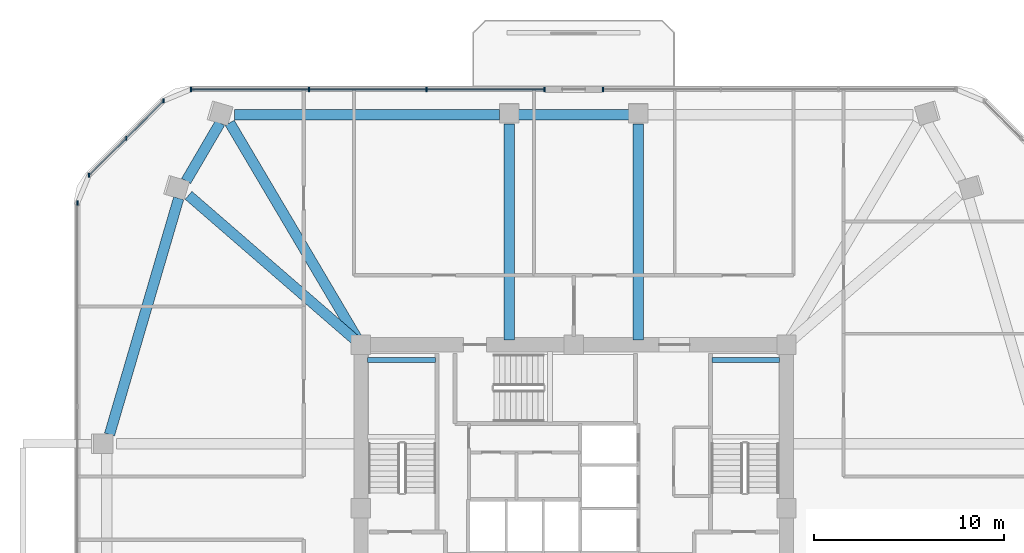
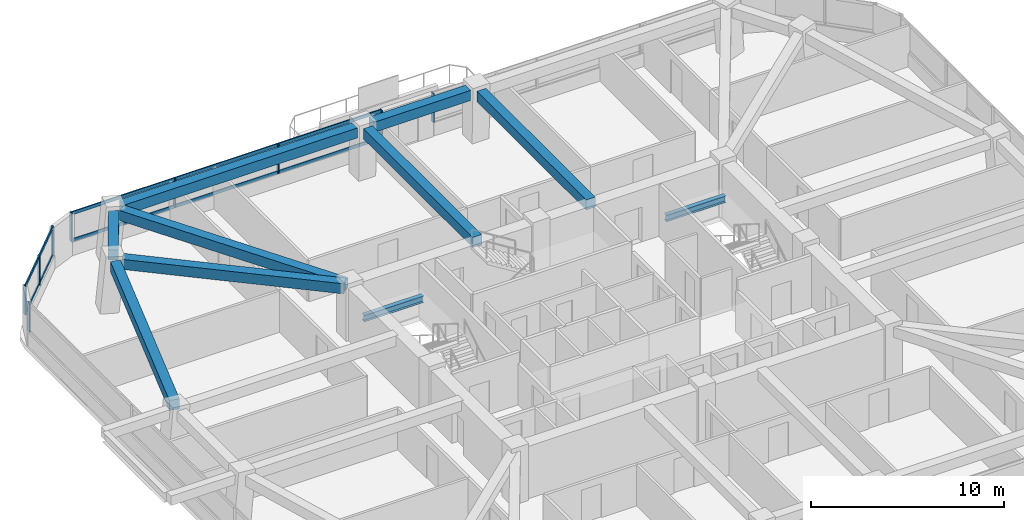
# One storey, part 6 of 14: 13 members, 10 beams, 4 elements without a shape of their own.
"""IFC4 building model written with IfcOpenShell, lengths in metres."""

from ifc_helpers import new_model, si_unit, derived_unit, direction, frame, origin, origin_2d, place, context, subcontext, project, spatial, rectangle, i_section, extrude, material, material_profile, profile_set, type_object, element, aggregate, save


model = new_model("IFC4")

# Units and contexts
model_context = context("Model", 3, precision=1e-05, world=origin(), true_north=direction((0.0, 1.0)))
body_context = subcontext(model_context, "Body", "Model", "MODEL_VIEW")
ifc_project = project(units=[si_unit("LENGTHUNIT", "METRE"), si_unit("AREAUNIT", "SQUARE_METRE"), si_unit("VOLUMEUNIT", "CUBIC_METRE"), si_unit("PLANEANGLEUNIT", "RADIAN"), si_unit("MASSUNIT", "GRAM", prefix="KILO"), derived_unit("THERMALTRANSMITTANCEUNIT", [(si_unit("POWERUNIT", "WATT"), 1), (si_unit("LENGTHUNIT", "METRE"), -2), (si_unit("THERMODYNAMICTEMPERATUREUNIT", "KELVIN"), -1)])], contexts=[model_context])

# Site, building, storey
site_placement = place(None, origin())
site = spatial("IfcSite", under=ifc_project, at=site_placement, CompositionType="ELEMENT")
building_placement = place(site_placement, origin())
building = spatial("IfcBuilding", under=site, at=building_placement, Name="Koralith Skygarden Medical Center", CompositionType="ELEMENT")
storey_placement = place(building_placement, frame((0.0, 0.0, 95.580078125)))
storey = spatial("IfcBuildingStorey", under=building, at=storey_placement, Name="L24", CompositionType="ELEMENT", Elevation=95.580078125)

# Curtain wall, member
ifc_material_1 = material(Name="Clear Laminated Glass", Category="glass")
curtain_wall_type = type_object("IfcCurtainWallType", Name="CW-3 Zone 2 Faceted Solar Curtain Wall", PredefinedType="NOTDEFINED", material=ifc_material_1)
curtain_wall_1_placement = place(storey_placement, origin())
curtain_wall_1 = element("IfcCurtainWall", 1, at=curtain_wall_1_placement, inside=storey, type_object=curtain_wall_type, Name="Curtain Wall CW-L24-N-L", PredefinedType="NOTDEFINED")
ifc_material_2 = material(Name="Aluminium 6063-T6", Category="aluminium")
ifc_material_profile_1 = material_profile(ifc_material_2, rectangle(XDim=0.073974609375, YDim=0.219970703125, at=origin_2d()), Name="MUL74X220")
ifc_profile_set_1 = profile_set([ifc_material_profile_1], Name="Aluminium 6063-T6")
member_type_1 = type_object("IfcMemberType", Name="CW-3 Extruded Mullion 74x220", PredefinedType="MULLION", material=ifc_profile_set_1)
member_1_placement = place(storey_placement, frame((38.5400390625, 47.943115234375, 0.849853515625), z_axis=(0.0, 0.0, 1.0), x_axis=(1.0, 0.0, 0.0)))
member_1 = element("IfcMember", 2, at=member_1_placement, type_object=member_type_1, Name="CW-L24-N-L Mullion 4", PredefinedType="MULLION", context=body_context, shape_type="SweptSolid", body=[
    extrude(rectangle(XDim=0.073974609375, YDim=0.219970703125, at=origin_2d()), origin(), (0.0, 0.0, 1.0), 1.820068359375),
])
aggregate(curtain_wall_1, [member_1])

# Curtain wall, members
curtain_wall_2_placement = place(storey_placement, origin())
curtain_wall_2 = element("IfcCurtainWall", 3, at=curtain_wall_2_placement, inside=storey, type_object=curtain_wall_type, Name="Curtain Wall CW-L24-N-R", PredefinedType="NOTDEFINED")
member_2_placement = place(storey_placement, frame((35.4599609375, 47.943115234375, 0.849853515625), z_axis=(0.0, 0.0, 1.0), x_axis=(1.0, 0.0, 0.0)))
member_2 = element("IfcMember", 4, at=member_2_placement, type_object=member_type_1, Name="CW-L24-N-R Mullion 1", PredefinedType="MULLION", context=body_context, shape_type="SweptSolid", body=[
    extrude(rectangle(XDim=0.073974609375, YDim=0.219970703125, at=origin_2d()), origin(), (0.0, 0.0, 1.0), 1.820068359375),
])
member_3_placement = place(storey_placement, frame((29.260009765625, 47.943115234375, 0.849853515625), z_axis=(0.0, 0.0, 1.0), x_axis=(1.0, 0.0, 0.0)))
member_3 = element("IfcMember", 5, at=member_3_placement, type_object=member_type_1, Name="CW-L24-N-R Mullion 2", PredefinedType="MULLION", context=body_context, shape_type="SweptSolid", body=[
    extrude(rectangle(XDim=0.073974609375, YDim=0.219970703125, at=origin_2d()), origin(), (0.0, 0.0, 1.0), 1.820068359375),
])
member_4_placement = place(storey_placement, frame((23.06005859375, 47.943115234375, 0.849853515625), z_axis=(0.0, 0.0, 1.0), x_axis=(1.0, 0.0, 0.0)))
member_4 = element("IfcMember", 6, at=member_4_placement, type_object=member_type_1, Name="CW-L24-N-R Mullion 3", PredefinedType="MULLION", context=body_context, shape_type="SweptSolid", body=[
    extrude(rectangle(XDim=0.073974609375, YDim=0.219970703125, at=origin_2d()), origin(), (0.0, 0.0, 1.0), 1.820068359375),
])
member_5_placement = place(storey_placement, frame((16.860107421875, 47.943115234375, 0.849853515625), z_axis=(0.0, 0.0, 1.0), x_axis=(1.0, 0.0, 0.0)))
member_5 = element("IfcMember", 7, at=member_5_placement, type_object=member_type_1, Name="CW-L24-N-R Mullion 4", PredefinedType="MULLION", context=body_context, shape_type="SweptSolid", body=[
    extrude(rectangle(XDim=0.073974609375, YDim=0.219970703125, at=origin_2d()), origin(), (0.0, 0.0, 1.0), 1.820068359375),
])

curtain_wall_3_placement = place(storey_placement, origin())
curtain_wall_3 = element("IfcCurtainWall", 8, at=curtain_wall_3_placement, inside=storey, type_object=curtain_wall_type, Name="Curtain Wall CW-L24-NW", PredefinedType="NOTDEFINED")
member_6_placement = place(storey_placement, frame((15.408935546875, 47.342041015625, 0.849853515625), z_axis=(0.0, 0.0, 1.0), x_axis=(1.0, 0.0, 0.0)))
member_6 = element("IfcMember", 9, at=member_6_placement, type_object=member_type_1, Name="CW-L24-NW Mullion 1", PredefinedType="MULLION", context=body_context, shape_type="SweptSolid", body=[
    extrude(rectangle(XDim=0.073974609375, YDim=0.219970703125, at=origin_2d()), origin(), (0.0, 0.0, 1.0), 1.820068359375),
])
member_7_placement = place(storey_placement, frame((13.447998046875, 45.3798828125, 0.849853515625), z_axis=(0.0, 0.0, 1.0), x_axis=(1.0, 0.0, 0.0)))
member_7 = element("IfcMember", 10, at=member_7_placement, type_object=member_type_1, Name="CW-L24-NW Mullion 2", PredefinedType="MULLION", context=body_context, shape_type="SweptSolid", body=[
    extrude(rectangle(XDim=0.073974609375, YDim=0.219970703125, at=origin_2d()), origin(), (0.0, 0.0, 1.0), 1.820068359375),
])
member_8_placement = place(storey_placement, frame((11.486083984375, 43.4189453125, 0.849853515625), z_axis=(0.0, 0.0, 1.0), x_axis=(1.0, 0.0, 0.0)))
member_8 = element("IfcMember", 11, at=member_8_placement, type_object=member_type_1, Name="CW-L24-NW Mullion 3", PredefinedType="MULLION", context=body_context, shape_type="SweptSolid", body=[
    extrude(rectangle(XDim=0.073974609375, YDim=0.219970703125, at=origin_2d()), origin(), (0.0, 0.0, 1.0), 1.820068359375),
])

# Curtain wall, member
curtain_wall_4_placement = place(storey_placement, origin())
curtain_wall_4 = element("IfcCurtainWall", 12, at=curtain_wall_4_placement, inside=storey, type_object=curtain_wall_type, Name="Curtain Wall CW-L24-W", PredefinedType="NOTDEFINED")
member_9_placement = place(storey_placement, frame((10.884033203125, 41.968017578125, 0.849853515625), z_axis=(0.0, 0.0, 1.0), x_axis=(1.0, 0.0, 0.0)))
member_9 = element("IfcMember", 13, at=member_9_placement, type_object=member_type_1, Name="CW-L24-W Mullion 1", PredefinedType="MULLION", context=body_context, shape_type="SweptSolid", body=[
    extrude(rectangle(XDim=0.073974609375, YDim=0.219970703125, at=origin_2d()), origin(), (0.0, 0.0, 1.0), 1.820068359375),
])
aggregate(curtain_wall_4, [member_9])

# Member
ifc_material_profile_2 = material_profile(ifc_material_2, rectangle(XDim=0.069091796875, YDim=0.197998046875, at=origin_2d()), Name="TRN69X198")
ifc_profile_set_2 = profile_set([ifc_material_profile_2], Name="Aluminium 6063-T6")
member_type_2 = type_object("IfcMemberType", Name="CW-3 Thermal Transom 69x198", PredefinedType="USERDEFINED", material=ifc_profile_set_2)
member_10_placement = place(storey_placement, frame((35.4599609375, 47.943115234375, 0.89990234375), z_axis=(-1.0, 0.0, 0.0), x_axis=(0.0, -1.0, 0.0)))
member_10 = element("IfcMember", 14, at=member_10_placement, type_object=member_type_2, Name="CW-L24-N-R Transom 1", ObjectType="TRANSOM", PredefinedType="USERDEFINED", context=body_context, shape_type="SweptSolid", body=[
    extrude(rectangle(XDim=0.069091796875, YDim=0.197998046875, at=origin_2d()), origin(), (0.0, 0.0, 1.0), 18.599853515625),
])

member_11_placement = place(storey_placement, frame((35.4599609375, 47.943115234375, 2.619873046875), z_axis=(-1.0, 0.0, 0.0), x_axis=(0.0, -1.0, 0.0)))
member_11 = element("IfcMember", 15, at=member_11_placement, type_object=member_type_2, Name="CW-L24-N-R Transom 2", ObjectType="TRANSOM", PredefinedType="USERDEFINED", context=body_context, shape_type="SweptSolid", body=[
    extrude(rectangle(XDim=0.069091796875, YDim=0.197998046875, at=origin_2d()), origin(), (0.0, 0.0, 1.0), 18.599853515625),
])

aggregate(curtain_wall_2, [member_2, member_3, member_4, member_5, member_10, member_11])

member_12_placement = place(storey_placement, frame((15.408935546875, 47.342041015625, 0.89990234375), z_axis=(-0.707084777957, -0.707128783731, 0.0), x_axis=(0.707128783731, -0.707084777957, 0.0)))
member_12 = element("IfcMember", 16, at=member_12_placement, type_object=member_type_2, Name="CW-L24-NW Transom 1", ObjectType="TRANSOM", PredefinedType="USERDEFINED", context=body_context, shape_type="SweptSolid", body=[
    extrude(rectangle(XDim=0.069091796875, YDim=0.197998046875, at=origin_2d()), origin(), (0.0, 0.0, 1.0), 5.5478515625),
])

member_13_placement = place(storey_placement, frame((15.408935546875, 47.342041015625, 2.619873046875), z_axis=(-0.707084777957, -0.707128783731, 0.0), x_axis=(0.707128783731, -0.707084777957, 0.0)))
member_13 = element("IfcMember", 17, at=member_13_placement, type_object=member_type_2, Name="CW-L24-NW Transom 2", ObjectType="TRANSOM", PredefinedType="USERDEFINED", context=body_context, shape_type="SweptSolid", body=[
    extrude(rectangle(XDim=0.069091796875, YDim=0.197998046875, at=origin_2d()), origin(), (0.0, 0.0, 1.0), 5.5478515625),
])

aggregate(curtain_wall_3, [member_6, member_7, member_8, member_12, member_13])

# Beams
ifc_material_3 = material(Name="Steel ASTM A992 Grade 50", Category="steel")
ifc_material_profile_3 = material_profile(ifc_material_3, i_section(OverallWidth=0.260009765625, OverallDepth=0.4150390625, WebThickness=0.010009765625, FlangeThickness=0.016845703125, at=origin_2d()), Name="W16X67")
ifc_profile_set_3 = profile_set([ifc_material_profile_3], Name="Steel ASTM A992 Grade 50")
beam_type_1 = type_object("IfcBeamType", Name="Clinical Floor Joist W16X67", PredefinedType="JOIST", material=ifc_profile_set_3)
for number, where, z_axis, x_axis, name in (
    (18, (26.155029296875, 33.699951171875, 1.391845703125), (1.0, 0.0, 0.0), (0.0, 1.0, 0.0), "L24 Stair ST1 Half-Landing Support Beam 1B"),
    (19, (44.280029296875, 33.699951171875, 1.391845703125), (1.0, 0.0, 0.0), (0.0, 1.0, 0.0), "L24 Stair ST2 Half-Landing Support Beam 1B"),
):
    element("IfcBeam", number, at=place(storey_placement, frame(where, z_axis=z_axis, x_axis=x_axis)), inside=storey, type_object=beam_type_1, Name=name, PredefinedType="JOIST", context=body_context, shape_type="SweptSolid", body=[
        extrude(i_section(OverallWidth=0.260009765625, OverallDepth=0.4150390625, WebThickness=0.010009765625, FlangeThickness=0.016845703125, at=origin_2d()), origin(), (0.0, 0.0, 1.0), 3.56494140625),
    ])
ifc_material_4 = material(Name="Concrete C45/55", Category="concrete")
ifc_material_profile_4 = material_profile(ifc_material_4, rectangle(XDim=0.550048828125, YDim=0.639892578125, at=origin_2d()), Name="RCB550X640")
ifc_profile_set_4 = profile_set([ifc_material_profile_4], Name="Concrete C45/55")
beam_type_2 = type_object("IfcBeamType", Name="Radial Collector Beam RCB550X640", PredefinedType="BEAM", material=ifc_profile_set_4)
for number, where, z_axis, x_axis, name in (
    (20, (40.39990234375, 34.75, 3.0), (0.0, 1.0, 0.0), (-1.0, 0.0, 0.0), "L24 Radial Collector Beam RB-12"),
    (21, (33.60009765625, 34.75, 3.0), (0.0, 1.0, 0.0), (-1.0, 0.0, 0.0), "L24 Radial Collector Beam RB-13"),
):
    element("IfcBeam", number, at=place(storey_placement, frame(where, z_axis=z_axis, x_axis=x_axis)), inside=storey, type_object=beam_type_2, Name=name, PredefinedType="BEAM", context=body_context, shape_type="SweptSolid", body=[
        extrude(rectangle(XDim=0.550048828125, YDim=0.639892578125, at=origin_2d()), origin(), (0.0, 0.0, 1.0), 11.364013671875),
    ])
beam_1_placement = place(storey_placement, frame((25.673095703125, 34.715087890625, 3.0), z_axis=(-0.50889043558, 0.860831298557, 0.0), x_axis=(-0.860831298557, -0.50889043558, 0.0)))
element("IfcBeam", 22, at=beam_1_placement, inside=storey, type_object=beam_type_2, Name="L24 Radial Collector Beam RB-14", PredefinedType="BEAM", context=body_context, shape_type="SweptSolid", body=[
    extrude(rectangle(XDim=0.550048828125, YDim=0.639892578125, at=origin_2d()), origin(), (0.0, 0.0, 1.0), 13.3232421875),
])
beam_2_placement = place(storey_placement, frame((25.611083984375, 34.6640625, 3.0), z_axis=(-0.755617839439, 0.655012733251, 0.0), x_axis=(-0.655012733251, -0.755617839439, 0.0)))
element("IfcBeam", 23, at=beam_2_placement, inside=storey, type_object=beam_type_2, Name="L24 Radial Collector Beam RB-15", PredefinedType="BEAM", context=body_context, shape_type="SweptSolid", body=[
    extrude(rectangle(XDim=0.550048828125, YDim=0.639892578125, at=origin_2d()), origin(), (0.0, 0.0, 1.0), 11.760009765625),
])
ifc_material_profile_5 = material_profile(ifc_material_4, rectangle(XDim=0.550048828125, YDim=0.639892578125, at=origin_2d()), Name="RCB550X640")
ifc_profile_set_5 = profile_set([ifc_material_profile_5], Name="Concrete C45/55")
beam_type_3 = type_object("IfcBeamType", Name="Zone 2-3 Spandrel Beam RCB550X640", PredefinedType="SPANDREL", material=ifc_profile_set_5)
beam_3_placement = place(storey_placement, frame((39.89990234375, 46.614013671875, 3.0), z_axis=(-1.0, 0.0, 0.0), x_axis=(0.0, -1.0, 0.0)))
element("IfcBeam", 24, at=beam_3_placement, inside=storey, type_object=beam_type_3, Name="L24 Perimeter Spandrel Beam SP-12", PredefinedType="SPANDREL", context=body_context, shape_type="SweptSolid", body=[
    extrude(rectangle(XDim=0.550048828125, YDim=0.639892578125, at=origin_2d()), origin(), (0.0, 0.0, 1.0), 5.7998046875),
])
beam_4_placement = place(storey_placement, frame((33.10009765625, 46.614013671875, 3.0), z_axis=(-1.0, 0.0, 0.0), x_axis=(0.0, -1.0, 0.0)))
element("IfcBeam", 25, at=beam_4_placement, inside=storey, type_object=beam_type_3, Name="L24 Perimeter Spandrel Beam SP-13", PredefinedType="SPANDREL", context=body_context, shape_type="SweptSolid", body=[
    extrude(rectangle(XDim=0.550048828125, YDim=0.639892578125, at=origin_2d()), origin(), (0.0, 0.0, 1.0), 13.961181640625),
])
beam_5_placement = place(storey_placement, frame((18.386962890625, 46.181884765625, 3.0), z_axis=(-0.504972499237, -0.863135432603, 0.0), x_axis=(0.863135432603, -0.504972499237, 0.0)))
element("IfcBeam", 26, at=beam_5_placement, inside=storey, type_object=beam_type_3, Name="L24 Perimeter Spandrel Beam SP-14", PredefinedType="SPANDREL", context=body_context, shape_type="SweptSolid", body=[
    extrude(rectangle(XDim=0.550048828125, YDim=0.639892578125, at=origin_2d()), origin(), (0.0, 0.0, 1.0), 3.54052734375),
])
beam_6_placement = place(storey_placement, frame((16.20703125, 42.214111328125, 3.0), z_axis=(-0.280962253951, -0.959718819163, 0.0), x_axis=(0.959718819163, -0.280962253951, 0.0)))
element("IfcBeam", 27, at=beam_6_placement, inside=storey, type_object=beam_type_3, Name="L24 Perimeter Spandrel Beam SP-15", PredefinedType="SPANDREL", context=body_context, shape_type="SweptSolid", body=[
    extrude(rectangle(XDim=0.550048828125, YDim=0.639892578125, at=origin_2d()), origin(), (0.0, 0.0, 1.0), 12.9560546875),
])

save(model, "model.ifc")
